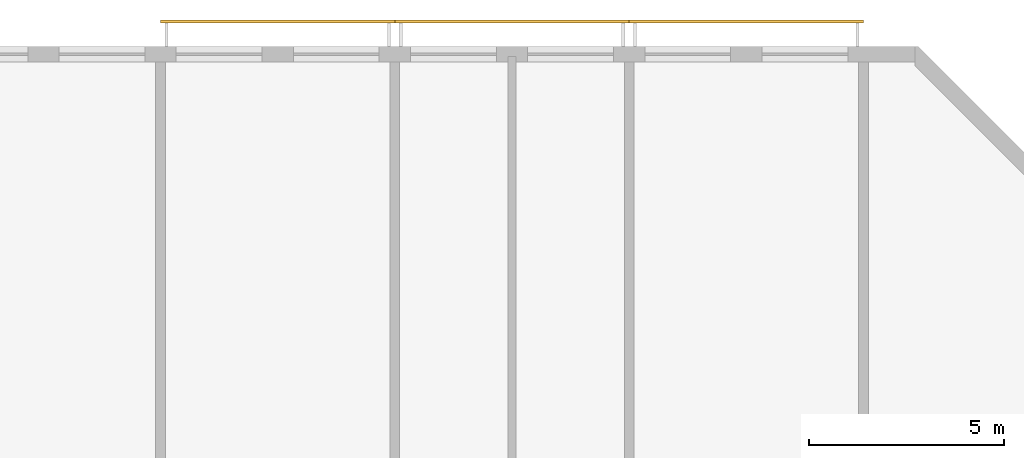
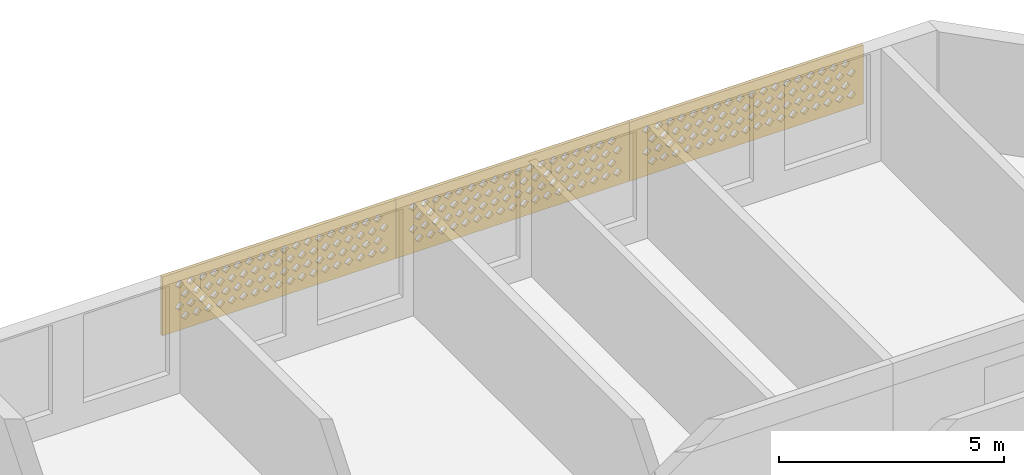
# One storey, part 17 of 18: 3 coverings.
"""IFC4 building model written with IfcOpenShell, lengths in metres."""

from ifc_helpers import new_model, si_unit, direction, frame, origin, place, context, subcontext, project, spatial, polyline, outline, extrude, source, transform, mapped, material, material_profile, profile_set, type_object, element, save


model = new_model("IFC4")

# Units and contexts
model_context = context("Model", 3, precision=1e-05, world=origin(), true_north=direction((0.0, 1.0)))
body_context = subcontext(model_context, "Body", "Model", "MODEL_VIEW")
ifc_project = project(units=[si_unit("LENGTHUNIT", "METRE"), si_unit("AREAUNIT", "SQUARE_METRE"), si_unit("VOLUMEUNIT", "CUBIC_METRE"), si_unit("PLANEANGLEUNIT", "RADIAN"), si_unit("MASSUNIT", "GRAM", prefix="KILO")], contexts=[model_context])

# Site, building, storey
site_placement = place(None, origin())
site = spatial("IfcSite", under=ifc_project, at=site_placement, CompositionType="ELEMENT")
building_placement = place(site_placement, origin())
building = spatial("IfcBuilding", under=site, at=building_placement, Name="Poui Terraces", CompositionType="ELEMENT")
storey_placement = place(building_placement, frame((0.0, 0.0, 279.0)))
storey = spatial("IfcBuildingStorey", under=building, at=storey_placement, Name="L77 CROWN", CompositionType="ELEMENT", Elevation=279.0)

# Coverings
ifc_material = material(Name="Terracotta screen", Category="masonry")
ifc_material_profile = material_profile(ifc_material, outline(polyline([(-3.0, -0.800048828125), (3.0, -0.800048828125), (3.0, 0.800048828125), (-3.0, 0.800048828125), (-3.0, -0.800048828125)]), holes=[polyline([(-2.800048828125, -0.449951171875), (-2.68994140625, -0.56005859375), (-2.580078125, -0.449951171875), (-2.68994140625, -0.340087890625), (-2.800048828125, -0.449951171875)]), polyline([(-2.5, -0.449951171875), (-2.389892578125, -0.56005859375), (-2.280029296875, -0.449951171875), (-2.389892578125, -0.340087890625), (-2.5, -0.449951171875)]), polyline([(-2.199951171875, -0.449951171875), (-2.090087890625, -0.56005859375), (-1.97998046875, -0.449951171875), (-2.090087890625, -0.340087890625), (-2.199951171875, -0.449951171875)]), polyline([(-1.89990234375, -0.449951171875), (-1.7900390625, -0.56005859375), (-1.679931640625, -0.449951171875), (-1.7900390625, -0.340087890625), (-1.89990234375, -0.449951171875)]), polyline([(-1.60009765625, -0.449951171875), (-1.489990234375, -0.56005859375), (-1.3798828125, -0.449951171875), (-1.489990234375, -0.340087890625), (-1.60009765625, -0.449951171875)]), polyline([(-1.300048828125, -0.449951171875), (-1.18994140625, -0.56005859375), (-1.080078125, -0.449951171875), (-1.18994140625, -0.340087890625), (-1.300048828125, -0.449951171875)]), polyline([(-1.0, -0.449951171875), (-0.889892578125, -0.56005859375), (-0.780029296875, -0.449951171875), (-0.889892578125, -0.340087890625), (-1.0, -0.449951171875)]), polyline([(-0.699951171875, -0.449951171875), (-0.590087890625, -0.56005859375), (-0.47998046875, -0.449951171875), (-0.590087890625, -0.340087890625), (-0.699951171875, -0.449951171875)]), polyline([(-0.39990234375, -0.449951171875), (-0.2900390625, -0.56005859375), (-0.179931640625, -0.449951171875), (-0.2900390625, -0.340087890625), (-0.39990234375, -0.449951171875)]), polyline([(-0.10009765625, -0.449951171875), (0.010009765625, -0.56005859375), (0.1201171875, -0.449951171875), (0.010009765625, -0.340087890625), (-0.10009765625, -0.449951171875)]), polyline([(0.199951171875, -0.449951171875), (0.31005859375, -0.56005859375), (0.419921875, -0.449951171875), (0.31005859375, -0.340087890625), (0.199951171875, -0.449951171875)]), polyline([(0.5, -0.449951171875), (0.610107421875, -0.56005859375), (0.719970703125, -0.449951171875), (0.610107421875, -0.340087890625), (0.5, -0.449951171875)]), polyline([(0.800048828125, -0.449951171875), (0.909912109375, -0.56005859375), (1.02001953125, -0.449951171875), (0.909912109375, -0.340087890625), (0.800048828125, -0.449951171875)]), polyline([(1.10009765625, -0.449951171875), (1.2099609375, -0.56005859375), (1.320068359375, -0.449951171875), (1.2099609375, -0.340087890625), (1.10009765625, -0.449951171875)]), polyline([(1.39990234375, -0.449951171875), (1.510009765625, -0.56005859375), (1.6201171875, -0.449951171875), (1.510009765625, -0.340087890625), (1.39990234375, -0.449951171875)]), polyline([(1.699951171875, -0.449951171875), (1.81005859375, -0.56005859375), (1.919921875, -0.449951171875), (1.81005859375, -0.340087890625), (1.699951171875, -0.449951171875)]), polyline([(2.0, -0.449951171875), (2.110107421875, -0.56005859375), (2.219970703125, -0.449951171875), (2.110107421875, -0.340087890625), (2.0, -0.449951171875)]), polyline([(2.300048828125, -0.449951171875), (2.409912109375, -0.56005859375), (2.52001953125, -0.449951171875), (2.409912109375, -0.340087890625), (2.300048828125, -0.449951171875)]), polyline([(-2.64990234375, -0.14990234375), (-2.5400390625, -0.260009765625), (-2.429931640625, -0.14990234375), (-2.5400390625, -0.0400390625), (-2.64990234375, -0.14990234375)]), polyline([(-2.35009765625, -0.14990234375), (-2.239990234375, -0.260009765625), (-2.1298828125, -0.14990234375), (-2.239990234375, -0.0400390625), (-2.35009765625, -0.14990234375)]), polyline([(-2.050048828125, -0.14990234375), (-1.93994140625, -0.260009765625), (-1.830078125, -0.14990234375), (-1.93994140625, -0.0400390625), (-2.050048828125, -0.14990234375)]), polyline([(-1.75, -0.14990234375), (-1.639892578125, -0.260009765625), (-1.530029296875, -0.14990234375), (-1.639892578125, -0.0400390625), (-1.75, -0.14990234375)]), polyline([(-1.449951171875, -0.14990234375), (-1.340087890625, -0.260009765625), (-1.22998046875, -0.14990234375), (-1.340087890625, -0.0400390625), (-1.449951171875, -0.14990234375)]), polyline([(-1.14990234375, -0.14990234375), (-1.0400390625, -0.260009765625), (-0.929931640625, -0.14990234375), (-1.0400390625, -0.0400390625), (-1.14990234375, -0.14990234375)]), polyline([(-0.85009765625, -0.14990234375), (-0.739990234375, -0.260009765625), (-0.6298828125, -0.14990234375), (-0.739990234375, -0.0400390625), (-0.85009765625, -0.14990234375)]), polyline([(-0.550048828125, -0.14990234375), (-0.43994140625, -0.260009765625), (-0.330078125, -0.14990234375), (-0.43994140625, -0.0400390625), (-0.550048828125, -0.14990234375)]), polyline([(-0.25, -0.14990234375), (-0.139892578125, -0.260009765625), (-0.030029296875, -0.14990234375), (-0.139892578125, -0.0400390625), (-0.25, -0.14990234375)]), polyline([(0.050048828125, -0.14990234375), (0.159912109375, -0.260009765625), (0.27001953125, -0.14990234375), (0.159912109375, -0.0400390625), (0.050048828125, -0.14990234375)]), polyline([(0.35009765625, -0.14990234375), (0.4599609375, -0.260009765625), (0.570068359375, -0.14990234375), (0.4599609375, -0.0400390625), (0.35009765625, -0.14990234375)]), polyline([(0.64990234375, -0.14990234375), (0.760009765625, -0.260009765625), (0.8701171875, -0.14990234375), (0.760009765625, -0.0400390625), (0.64990234375, -0.14990234375)]), polyline([(0.949951171875, -0.14990234375), (1.06005859375, -0.260009765625), (1.169921875, -0.14990234375), (1.06005859375, -0.0400390625), (0.949951171875, -0.14990234375)]), polyline([(1.25, -0.14990234375), (1.360107421875, -0.260009765625), (1.469970703125, -0.14990234375), (1.360107421875, -0.0400390625), (1.25, -0.14990234375)]), polyline([(1.550048828125, -0.14990234375), (1.659912109375, -0.260009765625), (1.77001953125, -0.14990234375), (1.659912109375, -0.0400390625), (1.550048828125, -0.14990234375)]), polyline([(1.85009765625, -0.14990234375), (1.9599609375, -0.260009765625), (2.070068359375, -0.14990234375), (1.9599609375, -0.0400390625), (1.85009765625, -0.14990234375)]), polyline([(2.14990234375, -0.14990234375), (2.260009765625, -0.260009765625), (2.3701171875, -0.14990234375), (2.260009765625, -0.0400390625), (2.14990234375, -0.14990234375)]), polyline([(2.449951171875, -0.14990234375), (2.56005859375, -0.260009765625), (2.669921875, -0.14990234375), (2.56005859375, -0.0400390625), (2.449951171875, -0.14990234375)]), polyline([(-2.800048828125, 0.14990234375), (-2.68994140625, 0.0400390625), (-2.580078125, 0.14990234375), (-2.68994140625, 0.260009765625), (-2.800048828125, 0.14990234375)]), polyline([(-2.5, 0.14990234375), (-2.389892578125, 0.0400390625), (-2.280029296875, 0.14990234375), (-2.389892578125, 0.260009765625), (-2.5, 0.14990234375)]), polyline([(-2.199951171875, 0.14990234375), (-2.090087890625, 0.0400390625), (-1.97998046875, 0.14990234375), (-2.090087890625, 0.260009765625), (-2.199951171875, 0.14990234375)]), polyline([(-1.89990234375, 0.14990234375), (-1.7900390625, 0.0400390625), (-1.679931640625, 0.14990234375), (-1.7900390625, 0.260009765625), (-1.89990234375, 0.14990234375)]), polyline([(-1.60009765625, 0.14990234375), (-1.489990234375, 0.0400390625), (-1.3798828125, 0.14990234375), (-1.489990234375, 0.260009765625), (-1.60009765625, 0.14990234375)]), polyline([(-1.300048828125, 0.14990234375), (-1.18994140625, 0.0400390625), (-1.080078125, 0.14990234375), (-1.18994140625, 0.260009765625), (-1.300048828125, 0.14990234375)]), polyline([(-1.0, 0.14990234375), (-0.889892578125, 0.0400390625), (-0.780029296875, 0.14990234375), (-0.889892578125, 0.260009765625), (-1.0, 0.14990234375)]), polyline([(-0.699951171875, 0.14990234375), (-0.590087890625, 0.0400390625), (-0.47998046875, 0.14990234375), (-0.590087890625, 0.260009765625), (-0.699951171875, 0.14990234375)]), polyline([(-0.39990234375, 0.14990234375), (-0.2900390625, 0.0400390625), (-0.179931640625, 0.14990234375), (-0.2900390625, 0.260009765625), (-0.39990234375, 0.14990234375)]), polyline([(-0.10009765625, 0.14990234375), (0.010009765625, 0.0400390625), (0.1201171875, 0.14990234375), (0.010009765625, 0.260009765625), (-0.10009765625, 0.14990234375)]), polyline([(0.199951171875, 0.14990234375), (0.31005859375, 0.0400390625), (0.419921875, 0.14990234375), (0.31005859375, 0.260009765625), (0.199951171875, 0.14990234375)]), polyline([(0.5, 0.14990234375), (0.610107421875, 0.0400390625), (0.719970703125, 0.14990234375), (0.610107421875, 0.260009765625), (0.5, 0.14990234375)]), polyline([(0.800048828125, 0.14990234375), (0.909912109375, 0.0400390625), (1.02001953125, 0.14990234375), (0.909912109375, 0.260009765625), (0.800048828125, 0.14990234375)]), polyline([(1.10009765625, 0.14990234375), (1.2099609375, 0.0400390625), (1.320068359375, 0.14990234375), (1.2099609375, 0.260009765625), (1.10009765625, 0.14990234375)]), polyline([(1.39990234375, 0.14990234375), (1.510009765625, 0.0400390625), (1.6201171875, 0.14990234375), (1.510009765625, 0.260009765625), (1.39990234375, 0.14990234375)]), polyline([(1.699951171875, 0.14990234375), (1.81005859375, 0.0400390625), (1.919921875, 0.14990234375), (1.81005859375, 0.260009765625), (1.699951171875, 0.14990234375)]), polyline([(2.0, 0.14990234375), (2.110107421875, 0.0400390625), (2.219970703125, 0.14990234375), (2.110107421875, 0.260009765625), (2.0, 0.14990234375)]), polyline([(2.300048828125, 0.14990234375), (2.409912109375, 0.0400390625), (2.52001953125, 0.14990234375), (2.409912109375, 0.260009765625), (2.300048828125, 0.14990234375)]), polyline([(-2.64990234375, 0.449951171875), (-2.5400390625, 0.340087890625), (-2.429931640625, 0.449951171875), (-2.5400390625, 0.56005859375), (-2.64990234375, 0.449951171875)]), polyline([(-2.35009765625, 0.449951171875), (-2.239990234375, 0.340087890625), (-2.1298828125, 0.449951171875), (-2.239990234375, 0.56005859375), (-2.35009765625, 0.449951171875)]), polyline([(-2.050048828125, 0.449951171875), (-1.93994140625, 0.340087890625), (-1.830078125, 0.449951171875), (-1.93994140625, 0.56005859375), (-2.050048828125, 0.449951171875)]), polyline([(-1.75, 0.449951171875), (-1.639892578125, 0.340087890625), (-1.530029296875, 0.449951171875), (-1.639892578125, 0.56005859375), (-1.75, 0.449951171875)]), polyline([(-1.449951171875, 0.449951171875), (-1.340087890625, 0.340087890625), (-1.22998046875, 0.449951171875), (-1.340087890625, 0.56005859375), (-1.449951171875, 0.449951171875)]), polyline([(-1.14990234375, 0.449951171875), (-1.0400390625, 0.340087890625), (-0.929931640625, 0.449951171875), (-1.0400390625, 0.56005859375), (-1.14990234375, 0.449951171875)]), polyline([(-0.85009765625, 0.449951171875), (-0.739990234375, 0.340087890625), (-0.6298828125, 0.449951171875), (-0.739990234375, 0.56005859375), (-0.85009765625, 0.449951171875)]), polyline([(-0.550048828125, 0.449951171875), (-0.43994140625, 0.340087890625), (-0.330078125, 0.449951171875), (-0.43994140625, 0.56005859375), (-0.550048828125, 0.449951171875)]), polyline([(-0.25, 0.449951171875), (-0.139892578125, 0.340087890625), (-0.030029296875, 0.449951171875), (-0.139892578125, 0.56005859375), (-0.25, 0.449951171875)]), polyline([(0.050048828125, 0.449951171875), (0.159912109375, 0.340087890625), (0.27001953125, 0.449951171875), (0.159912109375, 0.56005859375), (0.050048828125, 0.449951171875)]), polyline([(0.35009765625, 0.449951171875), (0.4599609375, 0.340087890625), (0.570068359375, 0.449951171875), (0.4599609375, 0.56005859375), (0.35009765625, 0.449951171875)]), polyline([(0.64990234375, 0.449951171875), (0.760009765625, 0.340087890625), (0.8701171875, 0.449951171875), (0.760009765625, 0.56005859375), (0.64990234375, 0.449951171875)]), polyline([(0.949951171875, 0.449951171875), (1.06005859375, 0.340087890625), (1.169921875, 0.449951171875), (1.06005859375, 0.56005859375), (0.949951171875, 0.449951171875)]), polyline([(1.25, 0.449951171875), (1.360107421875, 0.340087890625), (1.469970703125, 0.449951171875), (1.360107421875, 0.56005859375), (1.25, 0.449951171875)]), polyline([(1.550048828125, 0.449951171875), (1.659912109375, 0.340087890625), (1.77001953125, 0.449951171875), (1.659912109375, 0.56005859375), (1.550048828125, 0.449951171875)]), polyline([(1.85009765625, 0.449951171875), (1.9599609375, 0.340087890625), (2.070068359375, 0.449951171875), (1.9599609375, 0.56005859375), (1.85009765625, 0.449951171875)]), polyline([(2.14990234375, 0.449951171875), (2.260009765625, 0.340087890625), (2.3701171875, 0.449951171875), (2.260009765625, 0.56005859375), (2.14990234375, 0.449951171875)]), polyline([(2.449951171875, 0.449951171875), (2.56005859375, 0.340087890625), (2.669921875, 0.449951171875), (2.56005859375, 0.56005859375), (2.449951171875, 0.449951171875)])]), Name="TERRACOTTA SOLAR SCREEN 6000X1600")
ifc_profile_set = profile_set([ifc_material_profile], Name="Terracotta screen")
covering_type = type_object("IfcCoveringType", Name="TERRACOTTA SOLAR SCREEN 6000X1600", PredefinedType="CLADDING", material=ifc_profile_set)
shared_shape = source(origin(), body_context, "Body", "SweptSolid", [
    extrude(outline(polyline([(-3.0, -0.800048828125), (3.0, -0.800048828125), (3.0, 0.800048828125), (-3.0, 0.800048828125), (-3.0, -0.800048828125)]), holes=[polyline([(-2.800048828125, -0.449951171875), (-2.68994140625, -0.56005859375), (-2.580078125, -0.449951171875), (-2.68994140625, -0.340087890625), (-2.800048828125, -0.449951171875)]), polyline([(-2.5, -0.449951171875), (-2.389892578125, -0.56005859375), (-2.280029296875, -0.449951171875), (-2.389892578125, -0.340087890625), (-2.5, -0.449951171875)]), polyline([(-2.199951171875, -0.449951171875), (-2.090087890625, -0.56005859375), (-1.97998046875, -0.449951171875), (-2.090087890625, -0.340087890625), (-2.199951171875, -0.449951171875)]), polyline([(-1.89990234375, -0.449951171875), (-1.7900390625, -0.56005859375), (-1.679931640625, -0.449951171875), (-1.7900390625, -0.340087890625), (-1.89990234375, -0.449951171875)]), polyline([(-1.60009765625, -0.449951171875), (-1.489990234375, -0.56005859375), (-1.3798828125, -0.449951171875), (-1.489990234375, -0.340087890625), (-1.60009765625, -0.449951171875)]), polyline([(-1.300048828125, -0.449951171875), (-1.18994140625, -0.56005859375), (-1.080078125, -0.449951171875), (-1.18994140625, -0.340087890625), (-1.300048828125, -0.449951171875)]), polyline([(-1.0, -0.449951171875), (-0.889892578125, -0.56005859375), (-0.780029296875, -0.449951171875), (-0.889892578125, -0.340087890625), (-1.0, -0.449951171875)]), polyline([(-0.699951171875, -0.449951171875), (-0.590087890625, -0.56005859375), (-0.47998046875, -0.449951171875), (-0.590087890625, -0.340087890625), (-0.699951171875, -0.449951171875)]), polyline([(-0.39990234375, -0.449951171875), (-0.2900390625, -0.56005859375), (-0.179931640625, -0.449951171875), (-0.2900390625, -0.340087890625), (-0.39990234375, -0.449951171875)]), polyline([(-0.10009765625, -0.449951171875), (0.010009765625, -0.56005859375), (0.1201171875, -0.449951171875), (0.010009765625, -0.340087890625), (-0.10009765625, -0.449951171875)]), polyline([(0.199951171875, -0.449951171875), (0.31005859375, -0.56005859375), (0.419921875, -0.449951171875), (0.31005859375, -0.340087890625), (0.199951171875, -0.449951171875)]), polyline([(0.5, -0.449951171875), (0.610107421875, -0.56005859375), (0.719970703125, -0.449951171875), (0.610107421875, -0.340087890625), (0.5, -0.449951171875)]), polyline([(0.800048828125, -0.449951171875), (0.909912109375, -0.56005859375), (1.02001953125, -0.449951171875), (0.909912109375, -0.340087890625), (0.800048828125, -0.449951171875)]), polyline([(1.10009765625, -0.449951171875), (1.2099609375, -0.56005859375), (1.320068359375, -0.449951171875), (1.2099609375, -0.340087890625), (1.10009765625, -0.449951171875)]), polyline([(1.39990234375, -0.449951171875), (1.510009765625, -0.56005859375), (1.6201171875, -0.449951171875), (1.510009765625, -0.340087890625), (1.39990234375, -0.449951171875)]), polyline([(1.699951171875, -0.449951171875), (1.81005859375, -0.56005859375), (1.919921875, -0.449951171875), (1.81005859375, -0.340087890625), (1.699951171875, -0.449951171875)]), polyline([(2.0, -0.449951171875), (2.110107421875, -0.56005859375), (2.219970703125, -0.449951171875), (2.110107421875, -0.340087890625), (2.0, -0.449951171875)]), polyline([(2.300048828125, -0.449951171875), (2.409912109375, -0.56005859375), (2.52001953125, -0.449951171875), (2.409912109375, -0.340087890625), (2.300048828125, -0.449951171875)]), polyline([(-2.64990234375, -0.14990234375), (-2.5400390625, -0.260009765625), (-2.429931640625, -0.14990234375), (-2.5400390625, -0.0400390625), (-2.64990234375, -0.14990234375)]), polyline([(-2.35009765625, -0.14990234375), (-2.239990234375, -0.260009765625), (-2.1298828125, -0.14990234375), (-2.239990234375, -0.0400390625), (-2.35009765625, -0.14990234375)]), polyline([(-2.050048828125, -0.14990234375), (-1.93994140625, -0.260009765625), (-1.830078125, -0.14990234375), (-1.93994140625, -0.0400390625), (-2.050048828125, -0.14990234375)]), polyline([(-1.75, -0.14990234375), (-1.639892578125, -0.260009765625), (-1.530029296875, -0.14990234375), (-1.639892578125, -0.0400390625), (-1.75, -0.14990234375)]), polyline([(-1.449951171875, -0.14990234375), (-1.340087890625, -0.260009765625), (-1.22998046875, -0.14990234375), (-1.340087890625, -0.0400390625), (-1.449951171875, -0.14990234375)]), polyline([(-1.14990234375, -0.14990234375), (-1.0400390625, -0.260009765625), (-0.929931640625, -0.14990234375), (-1.0400390625, -0.0400390625), (-1.14990234375, -0.14990234375)]), polyline([(-0.85009765625, -0.14990234375), (-0.739990234375, -0.260009765625), (-0.6298828125, -0.14990234375), (-0.739990234375, -0.0400390625), (-0.85009765625, -0.14990234375)]), polyline([(-0.550048828125, -0.14990234375), (-0.43994140625, -0.260009765625), (-0.330078125, -0.14990234375), (-0.43994140625, -0.0400390625), (-0.550048828125, -0.14990234375)]), polyline([(-0.25, -0.14990234375), (-0.139892578125, -0.260009765625), (-0.030029296875, -0.14990234375), (-0.139892578125, -0.0400390625), (-0.25, -0.14990234375)]), polyline([(0.050048828125, -0.14990234375), (0.159912109375, -0.260009765625), (0.27001953125, -0.14990234375), (0.159912109375, -0.0400390625), (0.050048828125, -0.14990234375)]), polyline([(0.35009765625, -0.14990234375), (0.4599609375, -0.260009765625), (0.570068359375, -0.14990234375), (0.4599609375, -0.0400390625), (0.35009765625, -0.14990234375)]), polyline([(0.64990234375, -0.14990234375), (0.760009765625, -0.260009765625), (0.8701171875, -0.14990234375), (0.760009765625, -0.0400390625), (0.64990234375, -0.14990234375)]), polyline([(0.949951171875, -0.14990234375), (1.06005859375, -0.260009765625), (1.169921875, -0.14990234375), (1.06005859375, -0.0400390625), (0.949951171875, -0.14990234375)]), polyline([(1.25, -0.14990234375), (1.360107421875, -0.260009765625), (1.469970703125, -0.14990234375), (1.360107421875, -0.0400390625), (1.25, -0.14990234375)]), polyline([(1.550048828125, -0.14990234375), (1.659912109375, -0.260009765625), (1.77001953125, -0.14990234375), (1.659912109375, -0.0400390625), (1.550048828125, -0.14990234375)]), polyline([(1.85009765625, -0.14990234375), (1.9599609375, -0.260009765625), (2.070068359375, -0.14990234375), (1.9599609375, -0.0400390625), (1.85009765625, -0.14990234375)]), polyline([(2.14990234375, -0.14990234375), (2.260009765625, -0.260009765625), (2.3701171875, -0.14990234375), (2.260009765625, -0.0400390625), (2.14990234375, -0.14990234375)]), polyline([(2.449951171875, -0.14990234375), (2.56005859375, -0.260009765625), (2.669921875, -0.14990234375), (2.56005859375, -0.0400390625), (2.449951171875, -0.14990234375)]), polyline([(-2.800048828125, 0.14990234375), (-2.68994140625, 0.0400390625), (-2.580078125, 0.14990234375), (-2.68994140625, 0.260009765625), (-2.800048828125, 0.14990234375)]), polyline([(-2.5, 0.14990234375), (-2.389892578125, 0.0400390625), (-2.280029296875, 0.14990234375), (-2.389892578125, 0.260009765625), (-2.5, 0.14990234375)]), polyline([(-2.199951171875, 0.14990234375), (-2.090087890625, 0.0400390625), (-1.97998046875, 0.14990234375), (-2.090087890625, 0.260009765625), (-2.199951171875, 0.14990234375)]), polyline([(-1.89990234375, 0.14990234375), (-1.7900390625, 0.0400390625), (-1.679931640625, 0.14990234375), (-1.7900390625, 0.260009765625), (-1.89990234375, 0.14990234375)]), polyline([(-1.60009765625, 0.14990234375), (-1.489990234375, 0.0400390625), (-1.3798828125, 0.14990234375), (-1.489990234375, 0.260009765625), (-1.60009765625, 0.14990234375)]), polyline([(-1.300048828125, 0.14990234375), (-1.18994140625, 0.0400390625), (-1.080078125, 0.14990234375), (-1.18994140625, 0.260009765625), (-1.300048828125, 0.14990234375)]), polyline([(-1.0, 0.14990234375), (-0.889892578125, 0.0400390625), (-0.780029296875, 0.14990234375), (-0.889892578125, 0.260009765625), (-1.0, 0.14990234375)]), polyline([(-0.699951171875, 0.14990234375), (-0.590087890625, 0.0400390625), (-0.47998046875, 0.14990234375), (-0.590087890625, 0.260009765625), (-0.699951171875, 0.14990234375)]), polyline([(-0.39990234375, 0.14990234375), (-0.2900390625, 0.0400390625), (-0.179931640625, 0.14990234375), (-0.2900390625, 0.260009765625), (-0.39990234375, 0.14990234375)]), polyline([(-0.10009765625, 0.14990234375), (0.010009765625, 0.0400390625), (0.1201171875, 0.14990234375), (0.010009765625, 0.260009765625), (-0.10009765625, 0.14990234375)]), polyline([(0.199951171875, 0.14990234375), (0.31005859375, 0.0400390625), (0.419921875, 0.14990234375), (0.31005859375, 0.260009765625), (0.199951171875, 0.14990234375)]), polyline([(0.5, 0.14990234375), (0.610107421875, 0.0400390625), (0.719970703125, 0.14990234375), (0.610107421875, 0.260009765625), (0.5, 0.14990234375)]), polyline([(0.800048828125, 0.14990234375), (0.909912109375, 0.0400390625), (1.02001953125, 0.14990234375), (0.909912109375, 0.260009765625), (0.800048828125, 0.14990234375)]), polyline([(1.10009765625, 0.14990234375), (1.2099609375, 0.0400390625), (1.320068359375, 0.14990234375), (1.2099609375, 0.260009765625), (1.10009765625, 0.14990234375)]), polyline([(1.39990234375, 0.14990234375), (1.510009765625, 0.0400390625), (1.6201171875, 0.14990234375), (1.510009765625, 0.260009765625), (1.39990234375, 0.14990234375)]), polyline([(1.699951171875, 0.14990234375), (1.81005859375, 0.0400390625), (1.919921875, 0.14990234375), (1.81005859375, 0.260009765625), (1.699951171875, 0.14990234375)]), polyline([(2.0, 0.14990234375), (2.110107421875, 0.0400390625), (2.219970703125, 0.14990234375), (2.110107421875, 0.260009765625), (2.0, 0.14990234375)]), polyline([(2.300048828125, 0.14990234375), (2.409912109375, 0.0400390625), (2.52001953125, 0.14990234375), (2.409912109375, 0.260009765625), (2.300048828125, 0.14990234375)]), polyline([(-2.64990234375, 0.449951171875), (-2.5400390625, 0.340087890625), (-2.429931640625, 0.449951171875), (-2.5400390625, 0.56005859375), (-2.64990234375, 0.449951171875)]), polyline([(-2.35009765625, 0.449951171875), (-2.239990234375, 0.340087890625), (-2.1298828125, 0.449951171875), (-2.239990234375, 0.56005859375), (-2.35009765625, 0.449951171875)]), polyline([(-2.050048828125, 0.449951171875), (-1.93994140625, 0.340087890625), (-1.830078125, 0.449951171875), (-1.93994140625, 0.56005859375), (-2.050048828125, 0.449951171875)]), polyline([(-1.75, 0.449951171875), (-1.639892578125, 0.340087890625), (-1.530029296875, 0.449951171875), (-1.639892578125, 0.56005859375), (-1.75, 0.449951171875)]), polyline([(-1.449951171875, 0.449951171875), (-1.340087890625, 0.340087890625), (-1.22998046875, 0.449951171875), (-1.340087890625, 0.56005859375), (-1.449951171875, 0.449951171875)]), polyline([(-1.14990234375, 0.449951171875), (-1.0400390625, 0.340087890625), (-0.929931640625, 0.449951171875), (-1.0400390625, 0.56005859375), (-1.14990234375, 0.449951171875)]), polyline([(-0.85009765625, 0.449951171875), (-0.739990234375, 0.340087890625), (-0.6298828125, 0.449951171875), (-0.739990234375, 0.56005859375), (-0.85009765625, 0.449951171875)]), polyline([(-0.550048828125, 0.449951171875), (-0.43994140625, 0.340087890625), (-0.330078125, 0.449951171875), (-0.43994140625, 0.56005859375), (-0.550048828125, 0.449951171875)]), polyline([(-0.25, 0.449951171875), (-0.139892578125, 0.340087890625), (-0.030029296875, 0.449951171875), (-0.139892578125, 0.56005859375), (-0.25, 0.449951171875)]), polyline([(0.050048828125, 0.449951171875), (0.159912109375, 0.340087890625), (0.27001953125, 0.449951171875), (0.159912109375, 0.56005859375), (0.050048828125, 0.449951171875)]), polyline([(0.35009765625, 0.449951171875), (0.4599609375, 0.340087890625), (0.570068359375, 0.449951171875), (0.4599609375, 0.56005859375), (0.35009765625, 0.449951171875)]), polyline([(0.64990234375, 0.449951171875), (0.760009765625, 0.340087890625), (0.8701171875, 0.449951171875), (0.760009765625, 0.56005859375), (0.64990234375, 0.449951171875)]), polyline([(0.949951171875, 0.449951171875), (1.06005859375, 0.340087890625), (1.169921875, 0.449951171875), (1.06005859375, 0.56005859375), (0.949951171875, 0.449951171875)]), polyline([(1.25, 0.449951171875), (1.360107421875, 0.340087890625), (1.469970703125, 0.449951171875), (1.360107421875, 0.56005859375), (1.25, 0.449951171875)]), polyline([(1.550048828125, 0.449951171875), (1.659912109375, 0.340087890625), (1.77001953125, 0.449951171875), (1.659912109375, 0.56005859375), (1.550048828125, 0.449951171875)]), polyline([(1.85009765625, 0.449951171875), (1.9599609375, 0.340087890625), (2.070068359375, 0.449951171875), (1.9599609375, 0.56005859375), (1.85009765625, 0.449951171875)]), polyline([(2.14990234375, 0.449951171875), (2.260009765625, 0.340087890625), (2.3701171875, 0.449951171875), (2.260009765625, 0.56005859375), (2.14990234375, 0.449951171875)]), polyline([(2.449951171875, 0.449951171875), (2.56005859375, 0.340087890625), (2.669921875, 0.449951171875), (2.56005859375, 0.56005859375), (2.449951171875, 0.449951171875)])]), origin(), (0.0, 0.0, 1.0), 0.080078125),
])
for number, where, z_axis, x_axis, name in (
    (1, (63.0, 42.0, 1.699951171875), (0.0, 1.0, 0.0), (-1.0, 0.0, 0.0), "SOLAR SCREEN"),
    (2, (69.0, 42.0, 1.699951171875), (0.0, 1.0, 0.0), (-1.0, 0.0, 0.0), "SOLAR SCREEN"),
    (3, (75.0, 42.0, 1.699951171875), (0.0, 1.0, 0.0), (-1.0, 0.0, 0.0), "SOLAR SCREEN"),
):
    element("IfcCovering", number, at=place(storey_placement, frame(where, z_axis=z_axis, x_axis=x_axis)), inside=storey, type_object=covering_type, Name=name, PredefinedType="CLADDING", context=body_context, shape_type="MappedRepresentation", body=[
        mapped(shared_shape, transform((0.0, 0.0, 0.0))),
    ])

save(model, "model.ifc")
